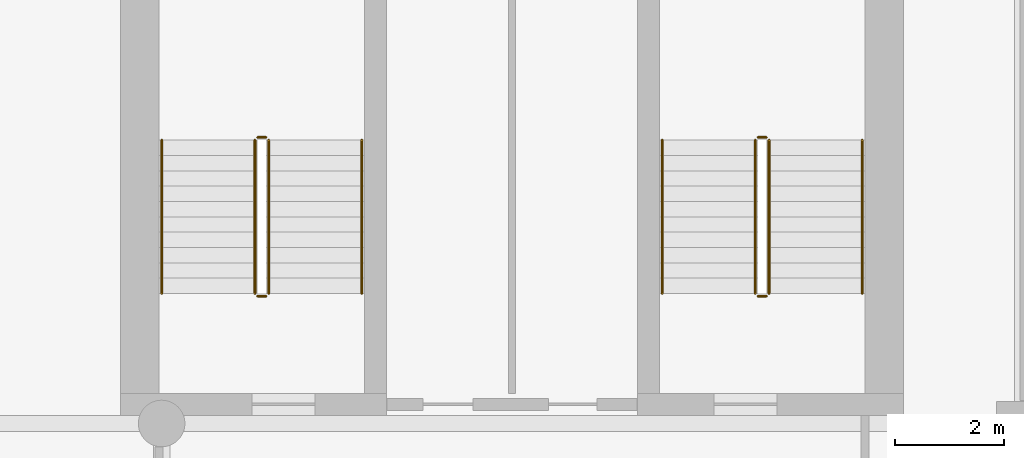
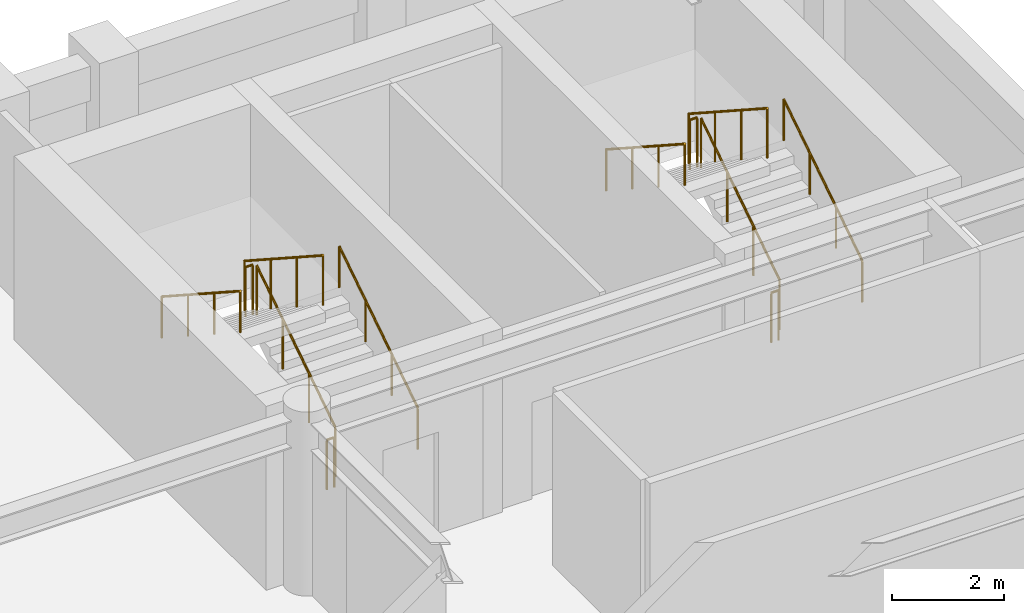
# One storey, part 13 of 13: 12 railings.
"""IFC4 building model written with IfcOpenShell, lengths in metres."""

from ifc_helpers import new_model, si_unit, direction, frame, origin, origin_2d, place, context, subcontext, project, spatial, circle, extrude, material, type_object, element, save


model = new_model("IFC4")

# Units and contexts
model_context = context("Model", 3, precision=1e-05, world=origin(), true_north=direction((0.0, 1.0)))
body_context = subcontext(model_context, "Body", "Model", "MODEL_VIEW")
ifc_project = project(units=[si_unit("LENGTHUNIT", "METRE"), si_unit("AREAUNIT", "SQUARE_METRE"), si_unit("VOLUMEUNIT", "CUBIC_METRE"), si_unit("PLANEANGLEUNIT", "RADIAN"), si_unit("MASSUNIT", "GRAM", prefix="KILO")], contexts=[model_context])

# Site, building, storey
site_placement = place(None, origin())
site = spatial("IfcSite", under=ifc_project, at=site_placement, CompositionType="ELEMENT")
building_placement = place(site_placement, origin())
building = spatial("IfcBuilding", under=site, at=building_placement, Name="Sulina Concourse Tower", CompositionType="ELEMENT")
storey_placement = place(building_placement, frame((0.0, 0.0, 202.60009765625)))
storey = spatial("IfcBuildingStorey", under=building, at=storey_placement, Name="L49", CompositionType="ELEMENT", Elevation=202.60009765625)

# Railings
ifc_material_1 = material(Name="Galvanised steel railing", Category="steel")
railing_type_1 = type_object("IfcRailingType", Name="Core Stair Steel Guardrail 1150mm", PredefinedType="GUARDRAIL", material=ifc_material_1)
railing_1_placement = place(storey_placement, frame((43.554931640625, 36.375, 0.181640625)))
element("IfcRailing", 1, at=railing_1_placement, inside=storey, type_object=railing_type_1, Name="L49 ST-3 stair guard 1", PredefinedType="GUARDRAIL", context=body_context, shape_type="SweptSolid", body=[
    extrude(circle(Radius=0.02392578125, at=origin_2d()), frame((0.0, 0.0, 1.076171875), z_axis=(0.0, 0.838672427954, 0.544636170843), x_axis=(-1.0, 0.0, 0.0)), (0.0, 0.0, 1.0), 3.338623046875),
    extrude(circle(Radius=0.02099609375, at=origin_2d()), origin(), (0.0, 0.0, 1.0), 1.052001953125),
    extrude(circle(Radius=0.02099609375, at=origin_2d()), frame((0.0, 0.933349609375, 0.606201171875)), (0.0, 0.0, 1.0), 1.052001953125),
    extrude(circle(Radius=0.02099609375, at=origin_2d()), frame((0.0, 1.86669921875, 1.212158203125)), (0.0, 0.0, 1.0), 1.052001953125),
    extrude(circle(Radius=0.02099609375, at=origin_2d()), frame((0.0, 2.800048828125, 1.818359375)), (0.0, 0.0, 1.0), 1.052001953125),
])
railing_2_placement = place(storey_placement, frame((43.5048828125, 39.22509765625, 2.0)))
element("IfcRailing", 2, at=railing_2_placement, inside=storey, type_object=railing_type_1, Name="L49 ST-3 stair guard 2", PredefinedType="GUARDRAIL", context=body_context, shape_type="SweptSolid", body=[
    extrude(circle(Radius=0.02392578125, at=origin_2d()), frame((0.0, 0.0, 1.076171875), z_axis=(-1.0, 0.0, 0.0), x_axis=(0.0, -1.0, 0.0)), (0.0, 0.0, 1.0), 0.14990234375),
    extrude(circle(Radius=0.02099609375, at=origin_2d()), origin(), (0.0, 0.0, 1.0), 1.052001953125),
    extrude(circle(Radius=0.02099609375, at=origin_2d()), frame((-0.14990234375, 0.0, 0.0)), (0.0, 0.0, 1.0), 1.052001953125),
])
railing_3_placement = place(storey_placement, frame((43.304931640625, 39.175048828125, 2.181640625)))
element("IfcRailing", 3, at=railing_3_placement, inside=storey, type_object=railing_type_1, Name="L49 ST-3 stair guard 3", PredefinedType="GUARDRAIL", context=body_context, shape_type="SweptSolid", body=[
    extrude(circle(Radius=0.02392578125, at=origin_2d()), frame((0.0, 0.0, 1.076171875), z_axis=(0.0, -0.838672427954, 0.544636170843), x_axis=(1.0, 0.0, 0.0)), (0.0, 0.0, 1.0), 3.338623046875),
    extrude(circle(Radius=0.02099609375, at=origin_2d()), origin(), (0.0, 0.0, 1.0), 1.052001953125),
    extrude(circle(Radius=0.02099609375, at=origin_2d()), frame((0.0, -0.933349609375, 0.606201171875)), (0.0, 0.0, 1.0), 1.052001953125),
    extrude(circle(Radius=0.02099609375, at=origin_2d()), frame((0.0, -1.86669921875, 1.212158203125)), (0.0, 0.0, 1.0), 1.052001953125),
    extrude(circle(Radius=0.02099609375, at=origin_2d()), frame((0.0, -2.800048828125, 1.818359375)), (0.0, 0.0, 1.0), 1.052001953125),
])
railing_4_placement = place(storey_placement, frame((43.5048828125, 36.324951171875, 0.0)))
element("IfcRailing", 4, at=railing_4_placement, inside=storey, type_object=railing_type_1, Name="L49 ST-3 stair guard 4", PredefinedType="GUARDRAIL", context=body_context, shape_type="SweptSolid", body=[
    extrude(circle(Radius=0.02392578125, at=origin_2d()), frame((0.0, 0.0, 1.076171875), z_axis=(-1.0, 0.0, 0.0), x_axis=(0.0, -1.0, 0.0)), (0.0, 0.0, 1.0), 0.14990234375),
    extrude(circle(Radius=0.02099609375, at=origin_2d()), origin(), (0.0, 0.0, 1.0), 1.052001953125),
    extrude(circle(Radius=0.02099609375, at=origin_2d()), frame((-0.14990234375, 0.0, 0.0)), (0.0, 0.0, 1.0), 1.052001953125),
])
railing_5_placement = place(storey_placement, frame((52.695068359375, 36.375, 0.181640625)))
element("IfcRailing", 5, at=railing_5_placement, inside=storey, type_object=railing_type_1, Name="L49 ST-4 stair guard 1", PredefinedType="GUARDRAIL", context=body_context, shape_type="SweptSolid", body=[
    extrude(circle(Radius=0.02392578125, at=origin_2d()), frame((0.0, 0.0, 1.076171875), z_axis=(0.0, 0.838672427954, 0.544636170843), x_axis=(-1.0, 0.0, 0.0)), (0.0, 0.0, 1.0), 3.338623046875),
    extrude(circle(Radius=0.02099609375, at=origin_2d()), origin(), (0.0, 0.0, 1.0), 1.052001953125),
    extrude(circle(Radius=0.02099609375, at=origin_2d()), frame((0.0, 0.933349609375, 0.606201171875)), (0.0, 0.0, 1.0), 1.052001953125),
    extrude(circle(Radius=0.02099609375, at=origin_2d()), frame((0.0, 1.86669921875, 1.212158203125)), (0.0, 0.0, 1.0), 1.052001953125),
    extrude(circle(Radius=0.02099609375, at=origin_2d()), frame((0.0, 2.800048828125, 1.818359375)), (0.0, 0.0, 1.0), 1.052001953125),
])
railing_6_placement = place(storey_placement, frame((52.64501953125, 39.22509765625, 2.0)))
element("IfcRailing", 6, at=railing_6_placement, inside=storey, type_object=railing_type_1, Name="L49 ST-4 stair guard 2", PredefinedType="GUARDRAIL", context=body_context, shape_type="SweptSolid", body=[
    extrude(circle(Radius=0.02392578125, at=origin_2d()), frame((0.0, 0.0, 1.076171875), z_axis=(-1.0, 0.0, 0.0), x_axis=(0.0, -1.0, 0.0)), (0.0, 0.0, 1.0), 0.14990234375),
    extrude(circle(Radius=0.02099609375, at=origin_2d()), origin(), (0.0, 0.0, 1.0), 1.052001953125),
    extrude(circle(Radius=0.02099609375, at=origin_2d()), frame((-0.14990234375, 0.0, 0.0)), (0.0, 0.0, 1.0), 1.052001953125),
])
railing_7_placement = place(storey_placement, frame((52.445068359375, 39.175048828125, 2.181640625)))
element("IfcRailing", 7, at=railing_7_placement, inside=storey, type_object=railing_type_1, Name="L49 ST-4 stair guard 3", PredefinedType="GUARDRAIL", context=body_context, shape_type="SweptSolid", body=[
    extrude(circle(Radius=0.02392578125, at=origin_2d()), frame((0.0, 0.0, 1.076171875), z_axis=(0.0, -0.838672427954, 0.544636170843), x_axis=(1.0, 0.0, 0.0)), (0.0, 0.0, 1.0), 3.338623046875),
    extrude(circle(Radius=0.02099609375, at=origin_2d()), origin(), (0.0, 0.0, 1.0), 1.052001953125),
    extrude(circle(Radius=0.02099609375, at=origin_2d()), frame((0.0, -0.933349609375, 0.606201171875)), (0.0, 0.0, 1.0), 1.052001953125),
    extrude(circle(Radius=0.02099609375, at=origin_2d()), frame((0.0, -1.86669921875, 1.212158203125)), (0.0, 0.0, 1.0), 1.052001953125),
    extrude(circle(Radius=0.02099609375, at=origin_2d()), frame((0.0, -2.800048828125, 1.818359375)), (0.0, 0.0, 1.0), 1.052001953125),
])
railing_8_placement = place(storey_placement, frame((52.64501953125, 36.324951171875, 0.0)))
element("IfcRailing", 8, at=railing_8_placement, inside=storey, type_object=railing_type_1, Name="L49 ST-4 stair guard 4", PredefinedType="GUARDRAIL", context=body_context, shape_type="SweptSolid", body=[
    extrude(circle(Radius=0.02392578125, at=origin_2d()), frame((0.0, 0.0, 1.076171875), z_axis=(-1.0, 0.0, 0.0), x_axis=(0.0, -1.0, 0.0)), (0.0, 0.0, 1.0), 0.14990234375),
    extrude(circle(Radius=0.02099609375, at=origin_2d()), origin(), (0.0, 0.0, 1.0), 1.052001953125),
    extrude(circle(Radius=0.02099609375, at=origin_2d()), frame((-0.14990234375, 0.0, 0.0)), (0.0, 0.0, 1.0), 1.052001953125),
])
ifc_material_2 = material(Name="Galvanised steel railing", Category="steel")
railing_type_2 = type_object("IfcRailingType", Name="Stair Wall Steel Handrail 920mm", PredefinedType="HANDRAIL", material=ifc_material_2)
railing_9_placement = place(storey_placement, frame((45.2548828125, 36.375, 0.181640625)))
element("IfcRailing", 9, at=railing_9_placement, inside=storey, type_object=railing_type_2, Name="L49 ST-3 stair handrail 1", PredefinedType="HANDRAIL", context=body_context, shape_type="SweptSolid", body=[
    extrude(circle(Radius=0.02392578125, at=origin_2d()), frame((0.0, 0.0, 0.89599609375), z_axis=(0.0, 0.838672427954, 0.544636170843), x_axis=(-1.0, 0.0, 0.0)), (0.0, 0.0, 1.0), 3.338623046875),
    extrude(circle(Radius=0.02099609375, at=origin_2d()), origin(), (0.0, 0.0, 1.0), 0.871826171875),
    extrude(circle(Radius=0.02099609375, at=origin_2d()), frame((0.0, 0.933349609375, 0.606201171875)), (0.0, 0.0, 1.0), 0.871826171875),
    extrude(circle(Radius=0.02099609375, at=origin_2d()), frame((0.0, 1.86669921875, 1.212158203125)), (0.0, 0.0, 1.0), 0.871826171875),
    extrude(circle(Radius=0.02099609375, at=origin_2d()), frame((0.0, 2.800048828125, 1.818359375)), (0.0, 0.0, 1.0), 0.871826171875),
])
railing_10_placement = place(storey_placement, frame((41.60498046875, 39.175048828125, 2.181640625)))
element("IfcRailing", 10, at=railing_10_placement, inside=storey, type_object=railing_type_2, Name="L49 ST-3 stair handrail 2", PredefinedType="HANDRAIL", context=body_context, shape_type="SweptSolid", body=[
    extrude(circle(Radius=0.02392578125, at=origin_2d()), frame((0.0, 0.0, 0.89599609375), z_axis=(0.0, -0.838672427954, 0.544636170843), x_axis=(1.0, 0.0, 0.0)), (0.0, 0.0, 1.0), 3.338623046875),
    extrude(circle(Radius=0.02099609375, at=origin_2d()), origin(), (0.0, 0.0, 1.0), 0.871826171875),
    extrude(circle(Radius=0.02099609375, at=origin_2d()), frame((0.0, -0.933349609375, 0.606201171875)), (0.0, 0.0, 1.0), 0.871826171875),
    extrude(circle(Radius=0.02099609375, at=origin_2d()), frame((0.0, -1.86669921875, 1.212158203125)), (0.0, 0.0, 1.0), 0.871826171875),
    extrude(circle(Radius=0.02099609375, at=origin_2d()), frame((0.0, -2.800048828125, 1.818359375)), (0.0, 0.0, 1.0), 0.871826171875),
])
railing_11_placement = place(storey_placement, frame((54.39501953125, 36.375, 0.181640625)))
element("IfcRailing", 11, at=railing_11_placement, inside=storey, type_object=railing_type_2, Name="L49 ST-4 stair handrail 1", PredefinedType="HANDRAIL", context=body_context, shape_type="SweptSolid", body=[
    extrude(circle(Radius=0.02392578125, at=origin_2d()), frame((0.0, 0.0, 0.89599609375), z_axis=(0.0, 0.838672427954, 0.544636170843), x_axis=(-1.0, 0.0, 0.0)), (0.0, 0.0, 1.0), 3.338623046875),
    extrude(circle(Radius=0.02099609375, at=origin_2d()), origin(), (0.0, 0.0, 1.0), 0.871826171875),
    extrude(circle(Radius=0.02099609375, at=origin_2d()), frame((0.0, 0.933349609375, 0.606201171875)), (0.0, 0.0, 1.0), 0.871826171875),
    extrude(circle(Radius=0.02099609375, at=origin_2d()), frame((0.0, 1.86669921875, 1.212158203125)), (0.0, 0.0, 1.0), 0.871826171875),
    extrude(circle(Radius=0.02099609375, at=origin_2d()), frame((0.0, 2.800048828125, 1.818359375)), (0.0, 0.0, 1.0), 0.871826171875),
])
railing_12_placement = place(storey_placement, frame((50.7451171875, 39.175048828125, 2.181640625)))
element("IfcRailing", 12, at=railing_12_placement, inside=storey, type_object=railing_type_2, Name="L49 ST-4 stair handrail 2", PredefinedType="HANDRAIL", context=body_context, shape_type="SweptSolid", body=[
    extrude(circle(Radius=0.02392578125, at=origin_2d()), frame((0.0, 0.0, 0.89599609375), z_axis=(0.0, -0.838672427954, 0.544636170843), x_axis=(1.0, 0.0, 0.0)), (0.0, 0.0, 1.0), 3.338623046875),
    extrude(circle(Radius=0.02099609375, at=origin_2d()), origin(), (0.0, 0.0, 1.0), 0.871826171875),
    extrude(circle(Radius=0.02099609375, at=origin_2d()), frame((0.0, -0.933349609375, 0.606201171875)), (0.0, 0.0, 1.0), 0.871826171875),
    extrude(circle(Radius=0.02099609375, at=origin_2d()), frame((0.0, -1.86669921875, 1.212158203125)), (0.0, 0.0, 1.0), 0.871826171875),
    extrude(circle(Radius=0.02099609375, at=origin_2d()), frame((0.0, -2.800048828125, 1.818359375)), (0.0, 0.0, 1.0), 0.871826171875),
])

save(model, "model.ifc")
